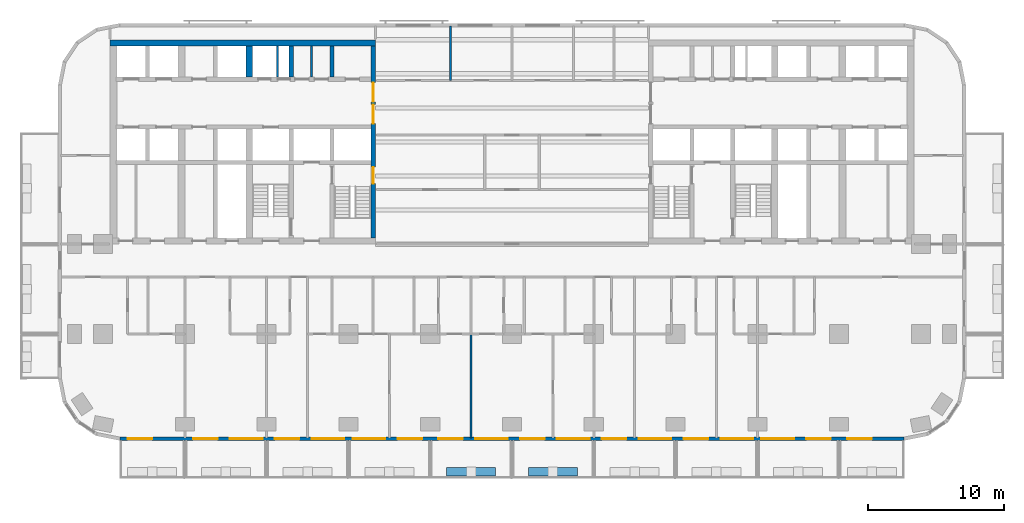
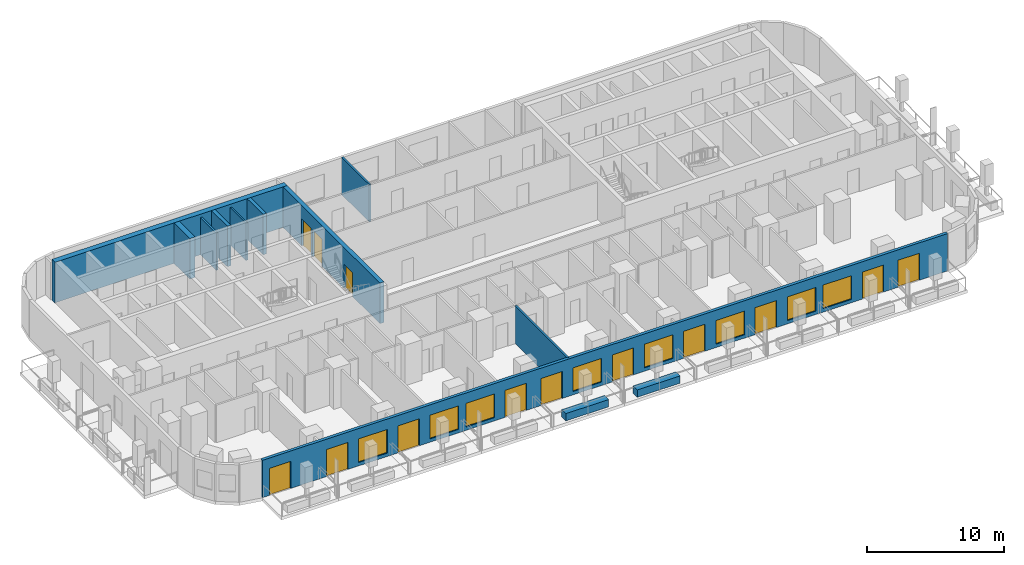
# One storey, part 4 of 13: 13 doors, 12 walls, 8 windows, 21 openings.
"""IFC4 building model written with IfcOpenShell, lengths in metres."""

from ifc_helpers import new_model, si_unit, direction, frame, frame_2d, origin, place, context, subcontext, project, spatial, rectangle, extrude, material, layer, layer_set, type_object, element, fill, save


model = new_model("IFC4")

# Units and contexts
model_context = context("Model", 3, precision=1e-05, world=origin(), true_north=direction((0.0, 1.0)))
body_context = subcontext(model_context, "Body", "Model", "MODEL_VIEW")
ifc_project = project(units=[si_unit("LENGTHUNIT", "METRE"), si_unit("AREAUNIT", "SQUARE_METRE"), si_unit("VOLUMEUNIT", "CUBIC_METRE"), si_unit("PLANEANGLEUNIT", "RADIAN"), si_unit("MASSUNIT", "GRAM", prefix="KILO")], contexts=[model_context])

# Site, building, storey
site_placement = place(None, origin())
site = spatial("IfcSite", under=ifc_project, at=site_placement, CompositionType="ELEMENT")
building_placement = place(site_placement, origin())
building = spatial("IfcBuilding", under=site, at=building_placement, Name="Torana Hotel and Residences", CompositionType="ELEMENT")
storey_placement = place(building_placement, frame((0.0, 0.0, 78.0)))
storey = spatial("IfcBuildingStorey", under=building, at=storey_placement, Name="L19", CompositionType="ELEMENT", Elevation=78.0)

# Walls
ifc_material_1 = material(Name="Concrete C80/95", Category="concrete")
ifc_layer_1 = layer(ifc_material_1, 0.300048828125)
ifc_layer_set_1 = layer_set([ifc_layer_1], Name="CORE WALL 300 C80/95")
wall_type_1 = type_object("IfcWallType", Name="CORE WALL 300 C80/95", PredefinedType="SHEAR", material=ifc_layer_set_1)
for number, where, z_axis, x_axis, name in (
    (1, (-13.199951171875, -2.75, 0.0), (0.0, 0.0, 1.0), (0.0, 1.0, 0.0), "Core wall W x3.05-N"),
    (2, (-16.199951171875, -2.75, 0.0), (0.0, 0.0, 1.0), (0.0, 1.0, 0.0), "Core wall W x6.05-N"),
):
    element("IfcWall", number, at=place(storey_placement, frame(where, z_axis=z_axis, x_axis=x_axis)), inside=storey, type_object=wall_type_1, Name=name, PredefinedType="SHEAR", context=body_context, shape_type="SweptSolid", body=[
        extrude(rectangle(XDim=2.300048828125, YDim=0.300048828125, at=frame_2d((1.14990234375, 0.0))), origin(), (0.0, 0.0, 1.0), 3.60009765625),
    ])

# Wall, openings, doors
ifc_material_2 = material(Name="Concrete C80/95", Category="concrete")
ifc_layer_2 = layer(ifc_material_2, 0.35009765625)
ifc_layer_set_2 = layer_set([ifc_layer_2], Name="CORE WALL 350 C80/95")
wall_type_2 = type_object("IfcWallType", Name="CORE WALL 350 C80/95", PredefinedType="SHEAR", material=ifc_layer_set_2)
wall_1_placement = place(storey_placement, frame((-10.175048828125, -14.550048828125, 0.0), z_axis=(0.0, 0.0, 1.0), x_axis=(0.0, 1.0, 0.0)))
wall_1 = element("IfcWall", 3, at=wall_1_placement, inside=storey, type_object=wall_type_2, Name="Core wall W arch", PredefinedType="SHEAR", context=body_context, shape_type="SweptSolid", body=[
    extrude(rectangle(XDim=14.10009765625, YDim=0.35009765625, at=frame_2d((7.050048828125, 0.0))), origin(), (0.0, 0.0, 1.0), 3.60009765625),
])
opening_1_placement = place(wall_1_placement, frame((8.39990234375, 0.0, 0.0)))
opening_1 = element("IfcOpeningElement", 4, at=opening_1_placement, cuts=wall_1, Name="Opening L19-01", PredefinedType="OPENING", context=body_context, shape_type="SweptSolid", body=[
    extrude(rectangle(XDim=1.39990234375, YDim=2.39990234375, at=frame_2d((0.699951171875, 1.199951171875))), frame((0.0, 0.18505859375, 0.0), z_axis=(0.0, -1.0, 0.0), x_axis=(1.0, 0.0, 0.0)), (0.0, 0.0, 1.0), 0.3701171875),
])
opening_2_placement = place(wall_1_placement, frame((10.0, 0.0, 0.0)))
opening_2 = element("IfcOpeningElement", 5, at=opening_2_placement, cuts=wall_1, Name="Opening L19-02", PredefinedType="OPENING", context=body_context, shape_type="SweptSolid", body=[
    extrude(rectangle(XDim=1.39990234375, YDim=2.39990234375, at=frame_2d((0.699951171875, 1.199951171875))), frame((0.0, 0.18505859375, 0.0), z_axis=(0.0, -1.0, 0.0), x_axis=(1.0, 0.0, 0.0)), (0.0, 0.0, 1.0), 0.3701171875),
])
opening_3_placement = place(wall_1_placement, frame((4.0, 0.0, 0.0)))
opening_3 = element("IfcOpeningElement", 6, at=opening_3_placement, cuts=wall_1, Name="Opening L19-03", PredefinedType="OPENING", context=body_context, shape_type="SweptSolid", body=[
    extrude(rectangle(XDim=1.199951171875, YDim=2.10009765625, at=frame_2d((0.60009765625, 1.050048828125))), frame((0.0, 0.18505859375, 0.0), z_axis=(0.0, -1.0, 0.0), x_axis=(1.0, 0.0, 0.0)), (0.0, 0.0, 1.0), 0.3701171875),
])
ifc_material_3 = material(Name="Steel S235", Category="steel")
door_type_1 = type_object("IfcDoorType", Name="LOBBY FIRE DOOR D4 1400x2400", OperationType="DOUBLE_DOOR_SINGLE_SWING", PredefinedType="DOOR", material=ifc_material_3)
door_1_placement = place(opening_1_placement, origin())
door_1 = element("IfcDoor", 7, at=door_1_placement, inside=storey, type_object=door_type_1, Name="Lobby-1 door L19", OperationType="DOUBLE_DOOR_SINGLE_SWING", OverallHeight=2.39990234375, OverallWidth=1.39990234375, PredefinedType="DOOR", context=body_context, shape_type="SweptSolid", body=[
    extrude(rectangle(XDim=1.39990234375, YDim=2.39990234375, at=frame_2d((0.699951171875, 1.199951171875))), frame((0.0, 0.02490234375, 0.0), z_axis=(0.0, -1.0, 0.0), x_axis=(1.0, 0.0, 0.0)), (0.0, 0.0, 1.0), 0.050048828125),
])
fill(opening_1, door_1)
door_2_placement = place(opening_2_placement, origin())
door_2 = element("IfcDoor", 8, at=door_2_placement, inside=storey, type_object=door_type_1, Name="Lobby-2 door L19", OperationType="DOUBLE_DOOR_SINGLE_SWING", OverallHeight=2.39990234375, OverallWidth=1.39990234375, PredefinedType="DOOR", context=body_context, shape_type="SweptSolid", body=[
    extrude(rectangle(XDim=1.39990234375, YDim=2.39990234375, at=frame_2d((0.699951171875, 1.199951171875))), frame((0.0, 0.02490234375, 0.0), z_axis=(0.0, -1.0, 0.0), x_axis=(1.0, 0.0, 0.0)), (0.0, 0.0, 1.0), 0.050048828125),
])
fill(opening_2, door_2)
ifc_material_4 = material(Name="Steel S235", Category="steel")
door_type_2 = type_object("IfcDoorType", Name="STAIR FIRE DOOR D3 1200x2100", OperationType="SINGLE_SWING_LEFT", PredefinedType="DOOR", material=ifc_material_4)
door_3_placement = place(opening_3_placement, origin())
door_3 = element("IfcDoor", 9, at=door_3_placement, inside=storey, type_object=door_type_2, Name="Stair-A door L19", OperationType="SINGLE_SWING_LEFT", OverallHeight=2.10009765625, OverallWidth=1.199951171875, PredefinedType="DOOR", context=body_context, shape_type="SweptSolid", body=[
    extrude(rectangle(XDim=1.199951171875, YDim=2.10009765625, at=frame_2d((0.60009765625, 1.050048828125))), frame((0.0, 0.02490234375, 0.0), z_axis=(0.0, -1.0, 0.0), x_axis=(1.0, 0.0, 0.0)), (0.0, 0.0, 1.0), 0.050048828125),
])
fill(opening_3, door_3)

# Walls
ifc_material_5 = material(Name="Concrete C80/95", Category="concrete")
ifc_layer_3 = layer(ifc_material_5, 0.449951171875)
ifc_layer_set_3 = layer_set([ifc_layer_3], Name="CORE WALL 450 C80/95")
wall_type_3 = type_object("IfcWallType", Name="CORE WALL 450 C80/95", PredefinedType="SHEAR", material=ifc_layer_set_3)
wall_2_placement = place(storey_placement, frame((-29.5, -0.22509765625, 0.0), z_axis=(0.0, 0.0, 1.0), x_axis=(1.0, 0.0, 0.0)))
element("IfcWall", 10, at=wall_2_placement, inside=storey, type_object=wall_type_3, Name="Core wall W rear", PredefinedType="SHEAR", context=body_context, shape_type="SweptSolid", body=[
    extrude(rectangle(XDim=19.5, YDim=0.449951171875, at=frame_2d((9.75, 0.0))), origin(), (0.0, 0.0, 1.0), 3.60009765625),
])
wall_3_placement = place(storey_placement, frame((-19.27490234375, -2.75, 0.0), z_axis=(0.0, 0.0, 1.0), x_axis=(0.0, 1.0, 0.0)))
element("IfcWall", 11, at=wall_3_placement, inside=storey, type_object=wall_type_3, Name="Core wall W hm-N", PredefinedType="SHEAR", context=body_context, shape_type="SweptSolid", body=[
    extrude(rectangle(XDim=2.300048828125, YDim=0.449951171875, at=frame_2d((1.14990234375, 0.0))), origin(), (0.0, 0.0, 1.0), 3.60009765625),
])

# Wall, openings, doors, windows
ifc_material_6 = material(Name="Black aluminium composite panel", Category="aluminium")
ifc_layer_4 = layer(ifc_material_6, 0.00390625, Name="Cladding", Category="cladding")
ifc_material_7 = material(Name="Ventilated air cavity")
ifc_layer_5 = layer(ifc_material_7, 0.0400390625, Name="Ventilated cavity", Category="cavity")
ifc_material_8 = material(Name="Mineral wool insulation")
ifc_layer_6 = layer(ifc_material_8, 0.090087890625, Name="Insulation", Category="insulation")
ifc_material_9 = material(Name="Steel S280GD", Category="steel")
ifc_layer_7 = layer(ifc_material_9, 0.092041015625, Name="Steel stud frame", Category="structure")
ifc_material_10 = material(Name="Fire rated plasterboard")
ifc_layer_8 = layer(ifc_material_10, 0.011962890625, Name="Inner board", Category="finish")
ifc_layer_9 = layer(ifc_material_10, 0.011962890625, Name="Second board", Category="finish")
ifc_layer_set_4 = layer_set([ifc_layer_4, ifc_layer_5, ifc_layer_6, ifc_layer_7, ifc_layer_8, ifc_layer_9], Name="EW1 EXTERNAL WALL BLACK METAL CLAD 250")
wall_type_4 = type_object("IfcWallType", Name="EW1 EXTERNAL WALL BLACK METAL CLAD 250", PredefinedType="SOLIDWALL", material=ifc_layer_set_4)
wall_4_placement = place(storey_placement, frame((-28.775390625, -29.27490234375, 0.0), z_axis=(0.0, 0.0, 1.0), x_axis=(1.0, 0.0, 0.0)))
wall_4 = element("IfcWall", 12, at=wall_4_placement, inside=storey, type_object=wall_type_4, Name="External wall L19 e0.14", PredefinedType="SOLIDWALL", context=body_context, shape_type="SweptSolid", body=[
    extrude(rectangle(XDim=57.55078125, YDim=0.25, at=frame_2d((28.775390625, 0.0))), origin(), (0.0, 0.0, 1.0), 3.320068359375),
])
opening_4_placement = place(wall_4_placement, frame((0.575439453125, 0.0, 0.0)))
opening_4 = element("IfcOpeningElement", 13, at=opening_4_placement, cuts=wall_4, Name="Opening L19-E01", PredefinedType="OPENING", context=body_context, shape_type="SweptSolid", body=[
    extrude(rectangle(XDim=1.800048828125, YDim=2.39990234375, at=frame_2d((0.89990234375, 1.199951171875))), frame((0.0, 0.135009765625, 0.0), z_axis=(0.0, -1.0, 0.0), x_axis=(1.0, 0.0, 0.0)), (0.0, 0.0, 1.0), 0.27001953125),
])
opening_5_placement = place(wall_4_placement, frame((5.37548828125, 0.0, 0.0)))
opening_5 = element("IfcOpeningElement", 14, at=opening_5_placement, cuts=wall_4, Name="Opening L19-E02", PredefinedType="OPENING", context=body_context, shape_type="SweptSolid", body=[
    extrude(rectangle(XDim=1.800048828125, YDim=2.39990234375, at=frame_2d((0.89990234375, 1.199951171875))), frame((0.0, 0.135009765625, 0.0), z_axis=(0.0, -1.0, 0.0), x_axis=(1.0, 0.0, 0.0)), (0.0, 0.0, 1.0), 0.27001953125),
])
opening_6_placement = place(wall_4_placement, frame((8.075439453125, 0.0, 0.300048828125)))
opening_6 = element("IfcOpeningElement", 15, at=opening_6_placement, cuts=wall_4, Name="Opening W1", PredefinedType="OPENING", context=body_context, shape_type="SweptSolid", body=[
    extrude(rectangle(XDim=2.39990234375, YDim=2.10009765625, at=frame_2d((1.199951171875, 1.050048828125))), frame((0.0, 0.135009765625, 0.0), z_axis=(0.0, -1.0, 0.0), x_axis=(1.0, 0.0, 0.0)), (0.0, 0.0, 1.0), 0.27001953125),
])
opening_7_placement = place(wall_4_placement, frame((11.37548828125, 0.0, 0.0)))
opening_7 = element("IfcOpeningElement", 16, at=opening_7_placement, cuts=wall_4, Name="Opening L19-E03", PredefinedType="OPENING", context=body_context, shape_type="SweptSolid", body=[
    extrude(rectangle(XDim=1.800048828125, YDim=2.39990234375, at=frame_2d((0.89990234375, 1.199951171875))), frame((0.0, 0.135009765625, 0.0), z_axis=(0.0, -1.0, 0.0), x_axis=(1.0, 0.0, 0.0)), (0.0, 0.0, 1.0), 0.27001953125),
])
opening_8_placement = place(wall_4_placement, frame((14.075439453125, 0.0, 0.300048828125)))
opening_8 = element("IfcOpeningElement", 17, at=opening_8_placement, cuts=wall_4, Name="Opening W1", PredefinedType="OPENING", context=body_context, shape_type="SweptSolid", body=[
    extrude(rectangle(XDim=2.39990234375, YDim=2.10009765625, at=frame_2d((1.199951171875, 1.050048828125))), frame((0.0, 0.135009765625, 0.0), z_axis=(0.0, -1.0, 0.0), x_axis=(1.0, 0.0, 0.0)), (0.0, 0.0, 1.0), 0.27001953125),
])
opening_9_placement = place(wall_4_placement, frame((17.075439453125, 0.0, 0.300048828125)))
opening_9 = element("IfcOpeningElement", 18, at=opening_9_placement, cuts=wall_4, Name="Opening W1", PredefinedType="OPENING", context=body_context, shape_type="SweptSolid", body=[
    extrude(rectangle(XDim=2.39990234375, YDim=2.10009765625, at=frame_2d((1.199951171875, 1.050048828125))), frame((0.0, 0.135009765625, 0.0), z_axis=(0.0, -1.0, 0.0), x_axis=(1.0, 0.0, 0.0)), (0.0, 0.0, 1.0), 0.27001953125),
])
opening_10_placement = place(wall_4_placement, frame((20.37548828125, 0.0, 0.0)))
opening_10 = element("IfcOpeningElement", 19, at=opening_10_placement, cuts=wall_4, Name="Opening L19-E04", PredefinedType="OPENING", context=body_context, shape_type="SweptSolid", body=[
    extrude(rectangle(XDim=1.800048828125, YDim=2.39990234375, at=frame_2d((0.89990234375, 1.199951171875))), frame((0.0, 0.135009765625, 0.0), z_axis=(0.0, -1.0, 0.0), x_axis=(1.0, 0.0, 0.0)), (0.0, 0.0, 1.0), 0.27001953125),
])
opening_11_placement = place(wall_4_placement, frame((23.37548828125, 0.0, 0.0)))
opening_11 = element("IfcOpeningElement", 20, at=opening_11_placement, cuts=wall_4, Name="Opening L19-E05", PredefinedType="OPENING", context=body_context, shape_type="SweptSolid", body=[
    extrude(rectangle(XDim=1.800048828125, YDim=2.39990234375, at=frame_2d((0.89990234375, 1.199951171875))), frame((0.0, 0.135009765625, 0.0), z_axis=(0.0, -1.0, 0.0), x_axis=(1.0, 0.0, 0.0)), (0.0, 0.0, 1.0), 0.27001953125),
])
opening_12_placement = place(wall_4_placement, frame((26.075439453125, 0.0, 0.300048828125)))
opening_12 = element("IfcOpeningElement", 21, at=opening_12_placement, cuts=wall_4, Name="Opening W1", PredefinedType="OPENING", context=body_context, shape_type="SweptSolid", body=[
    extrude(rectangle(XDim=2.39990234375, YDim=2.10009765625, at=frame_2d((1.199951171875, 1.050048828125))), frame((0.0, 0.135009765625, 0.0), z_axis=(0.0, -1.0, 0.0), x_axis=(1.0, 0.0, 0.0)), (0.0, 0.0, 1.0), 0.27001953125),
])
opening_13_placement = place(wall_4_placement, frame((29.37548828125, 0.0, 0.0)))
opening_13 = element("IfcOpeningElement", 22, at=opening_13_placement, cuts=wall_4, Name="Opening L19-E06", PredefinedType="OPENING", context=body_context, shape_type="SweptSolid", body=[
    extrude(rectangle(XDim=1.800048828125, YDim=2.39990234375, at=frame_2d((0.89990234375, 1.199951171875))), frame((0.0, 0.135009765625, 0.0), z_axis=(0.0, -1.0, 0.0), x_axis=(1.0, 0.0, 0.0)), (0.0, 0.0, 1.0), 0.27001953125),
])
opening_14_placement = place(wall_4_placement, frame((32.075439453125, 0.0, 0.300048828125)))
opening_14 = element("IfcOpeningElement", 23, at=opening_14_placement, cuts=wall_4, Name="Opening W1", PredefinedType="OPENING", context=body_context, shape_type="SweptSolid", body=[
    extrude(rectangle(XDim=2.39990234375, YDim=2.10009765625, at=frame_2d((1.199951171875, 1.050048828125))), frame((0.0, 0.135009765625, 0.0), z_axis=(0.0, -1.0, 0.0), x_axis=(1.0, 0.0, 0.0)), (0.0, 0.0, 1.0), 0.27001953125),
])
opening_15_placement = place(wall_4_placement, frame((35.37548828125, 0.0, 0.0)))
opening_15 = element("IfcOpeningElement", 24, at=opening_15_placement, cuts=wall_4, Name="Opening L19-E07", PredefinedType="OPENING", context=body_context, shape_type="SweptSolid", body=[
    extrude(rectangle(XDim=1.800048828125, YDim=2.39990234375, at=frame_2d((0.89990234375, 1.199951171875))), frame((0.0, 0.135009765625, 0.0), z_axis=(0.0, -1.0, 0.0), x_axis=(1.0, 0.0, 0.0)), (0.0, 0.0, 1.0), 0.27001953125),
])
opening_16_placement = place(wall_4_placement, frame((38.075439453125, 0.0, 0.300048828125)))
opening_16 = element("IfcOpeningElement", 25, at=opening_16_placement, cuts=wall_4, Name="Opening W1", PredefinedType="OPENING", context=body_context, shape_type="SweptSolid", body=[
    extrude(rectangle(XDim=2.39990234375, YDim=2.10009765625, at=frame_2d((1.199951171875, 1.050048828125))), frame((0.0, 0.135009765625, 0.0), z_axis=(0.0, -1.0, 0.0), x_axis=(1.0, 0.0, 0.0)), (0.0, 0.0, 1.0), 0.27001953125),
])
opening_17_placement = place(wall_4_placement, frame((41.37548828125, 0.0, 0.0)))
opening_17 = element("IfcOpeningElement", 26, at=opening_17_placement, cuts=wall_4, Name="Opening L19-E08", PredefinedType="OPENING", context=body_context, shape_type="SweptSolid", body=[
    extrude(rectangle(XDim=1.800048828125, YDim=2.39990234375, at=frame_2d((0.89990234375, 1.199951171875))), frame((0.0, 0.135009765625, 0.0), z_axis=(0.0, -1.0, 0.0), x_axis=(1.0, 0.0, 0.0)), (0.0, 0.0, 1.0), 0.27001953125),
])
opening_18_placement = place(wall_4_placement, frame((44.075439453125, 0.0, 0.300048828125)))
opening_18 = element("IfcOpeningElement", 27, at=opening_18_placement, cuts=wall_4, Name="Opening W1", PredefinedType="OPENING", context=body_context, shape_type="SweptSolid", body=[
    extrude(rectangle(XDim=2.39990234375, YDim=2.10009765625, at=frame_2d((1.199951171875, 1.050048828125))), frame((0.0, 0.135009765625, 0.0), z_axis=(0.0, -1.0, 0.0), x_axis=(1.0, 0.0, 0.0)), (0.0, 0.0, 1.0), 0.27001953125),
])
opening_19_placement = place(wall_4_placement, frame((47.075439453125, 0.0, 0.300048828125)))
opening_19 = element("IfcOpeningElement", 28, at=opening_19_placement, cuts=wall_4, Name="Opening W1", PredefinedType="OPENING", context=body_context, shape_type="SweptSolid", body=[
    extrude(rectangle(XDim=2.39990234375, YDim=2.10009765625, at=frame_2d((1.199951171875, 1.050048828125))), frame((0.0, 0.135009765625, 0.0), z_axis=(0.0, -1.0, 0.0), x_axis=(1.0, 0.0, 0.0)), (0.0, 0.0, 1.0), 0.27001953125),
])
opening_20_placement = place(wall_4_placement, frame((50.37548828125, 0.0, 0.0)))
opening_20 = element("IfcOpeningElement", 29, at=opening_20_placement, cuts=wall_4, Name="Opening L19-E09", PredefinedType="OPENING", context=body_context, shape_type="SweptSolid", body=[
    extrude(rectangle(XDim=1.800048828125, YDim=2.39990234375, at=frame_2d((0.89990234375, 1.199951171875))), frame((0.0, 0.135009765625, 0.0), z_axis=(0.0, -1.0, 0.0), x_axis=(1.0, 0.0, 0.0)), (0.0, 0.0, 1.0), 0.27001953125),
])
opening_21_placement = place(wall_4_placement, frame((53.37548828125, 0.0, 0.0)))
opening_21 = element("IfcOpeningElement", 30, at=opening_21_placement, cuts=wall_4, Name="Opening L19-E10", PredefinedType="OPENING", context=body_context, shape_type="SweptSolid", body=[
    extrude(rectangle(XDim=1.800048828125, YDim=2.39990234375, at=frame_2d((0.89990234375, 1.199951171875))), frame((0.0, 0.135009765625, 0.0), z_axis=(0.0, -1.0, 0.0), x_axis=(1.0, 0.0, 0.0)), (0.0, 0.0, 1.0), 0.27001953125),
])
ifc_material_11 = material(Name="Dark glass in black aluminium frame", Category="aluminium")
door_type_3 = type_object("IfcDoorType", Name="DB1 BALCONY DOOR 1800x2400", OperationType="DOUBLE_DOOR_SINGLE_SWING", PredefinedType="DOOR", material=ifc_material_11)
door_4_placement = place(opening_4_placement, origin())
door_4 = element("IfcDoor", 31, at=door_4_placement, inside=storey, type_object=door_type_3, Name="Balcony door L19", OperationType="DOUBLE_DOOR_SINGLE_SWING", OverallHeight=2.39990234375, OverallWidth=1.800048828125, PredefinedType="DOOR", context=body_context, shape_type="SweptSolid", body=[
    extrude(rectangle(XDim=1.800048828125, YDim=2.39990234375, at=frame_2d((0.89990234375, 1.199951171875))), frame((0.0, 0.02490234375, 0.0), z_axis=(0.0, -1.0, 0.0), x_axis=(1.0, 0.0, 0.0)), (0.0, 0.0, 1.0), 0.050048828125),
])
fill(opening_4, door_4)
door_5_placement = place(opening_5_placement, frame((0.89990234375, 0.0, 0.0), z_axis=(0.0, 0.0, 1.0), x_axis=(-1.0, 0.0, 0.0)))
door_5 = element("IfcDoor", 32, at=door_5_placement, inside=storey, type_object=door_type_3, Name="Balcony door L19", OperationType="DOUBLE_DOOR_SINGLE_SWING", OverallHeight=2.39990234375, OverallWidth=1.800048828125, PredefinedType="DOOR", context=body_context, shape_type="SweptSolid", body=[
    extrude(rectangle(XDim=1.800048828125, YDim=2.39990234375, at=frame_2d((0.0, 1.199951171875))), frame((0.0, -0.02490234375, 0.0), z_axis=(0.0, 1.0, 0.0), x_axis=(-1.0, 0.0, 0.0)), (0.0, 0.0, 1.0), 0.050048828125),
])
fill(opening_5, door_5)
door_6_placement = place(opening_7_placement, frame((0.89990234375, 0.0, 0.0), z_axis=(0.0, 0.0, 1.0), x_axis=(-1.0, 0.0, 0.0)))
door_6 = element("IfcDoor", 33, at=door_6_placement, inside=storey, type_object=door_type_3, Name="Balcony door L19", OperationType="DOUBLE_DOOR_SINGLE_SWING", OverallHeight=2.39990234375, OverallWidth=1.800048828125, PredefinedType="DOOR", context=body_context, shape_type="SweptSolid", body=[
    extrude(rectangle(XDim=1.800048828125, YDim=2.39990234375, at=frame_2d((0.0, 1.199951171875))), frame((0.0, -0.02490234375, 0.0), z_axis=(0.0, 1.0, 0.0), x_axis=(-1.0, 0.0, 0.0)), (0.0, 0.0, 1.0), 0.050048828125),
])
fill(opening_7, door_6)
door_7_placement = place(opening_10_placement, frame((0.89990234375, 0.0, 0.0), z_axis=(0.0, 0.0, 1.0), x_axis=(-1.0, 0.0, 0.0)))
door_7 = element("IfcDoor", 34, at=door_7_placement, inside=storey, type_object=door_type_3, Name="Balcony door L19", OperationType="DOUBLE_DOOR_SINGLE_SWING", OverallHeight=2.39990234375, OverallWidth=1.800048828125, PredefinedType="DOOR", context=body_context, shape_type="SweptSolid", body=[
    extrude(rectangle(XDim=1.800048828125, YDim=2.39990234375, at=frame_2d((0.0, 1.199951171875))), frame((0.0, -0.02490234375, 0.0), z_axis=(0.0, 1.0, 0.0), x_axis=(-1.0, 0.0, 0.0)), (0.0, 0.0, 1.0), 0.050048828125),
])
fill(opening_10, door_7)
door_8_placement = place(opening_11_placement, frame((0.89990234375, 0.0, 0.0), z_axis=(0.0, 0.0, 1.0), x_axis=(-1.0, 0.0, 0.0)))
door_8 = element("IfcDoor", 35, at=door_8_placement, inside=storey, type_object=door_type_3, Name="Balcony door L19", OperationType="DOUBLE_DOOR_SINGLE_SWING", OverallHeight=2.39990234375, OverallWidth=1.800048828125, PredefinedType="DOOR", context=body_context, shape_type="SweptSolid", body=[
    extrude(rectangle(XDim=1.800048828125, YDim=2.39990234375, at=frame_2d((0.0, 1.199951171875))), frame((0.0, -0.02490234375, 0.0), z_axis=(0.0, 1.0, 0.0), x_axis=(-1.0, 0.0, 0.0)), (0.0, 0.0, 1.0), 0.050048828125),
])
fill(opening_11, door_8)
door_9_placement = place(opening_13_placement, frame((0.89990234375, 0.0, 0.0), z_axis=(0.0, 0.0, 1.0), x_axis=(-1.0, 0.0, 0.0)))
door_9 = element("IfcDoor", 36, at=door_9_placement, inside=storey, type_object=door_type_3, Name="Balcony door L19", OperationType="DOUBLE_DOOR_SINGLE_SWING", OverallHeight=2.39990234375, OverallWidth=1.800048828125, PredefinedType="DOOR", context=body_context, shape_type="SweptSolid", body=[
    extrude(rectangle(XDim=1.800048828125, YDim=2.39990234375, at=frame_2d((0.0, 1.199951171875))), frame((0.0, -0.02490234375, 0.0), z_axis=(0.0, 1.0, 0.0), x_axis=(-1.0, 0.0, 0.0)), (0.0, 0.0, 1.0), 0.050048828125),
])
fill(opening_13, door_9)
door_10_placement = place(opening_15_placement, frame((0.89990234375, 0.0, 0.0), z_axis=(0.0, 0.0, 1.0), x_axis=(-1.0, 0.0, 0.0)))
door_10 = element("IfcDoor", 37, at=door_10_placement, inside=storey, type_object=door_type_3, Name="Balcony door L19", OperationType="DOUBLE_DOOR_SINGLE_SWING", OverallHeight=2.39990234375, OverallWidth=1.800048828125, PredefinedType="DOOR", context=body_context, shape_type="SweptSolid", body=[
    extrude(rectangle(XDim=1.800048828125, YDim=2.39990234375, at=frame_2d((0.0, 1.199951171875))), frame((0.0, -0.02490234375, 0.0), z_axis=(0.0, 1.0, 0.0), x_axis=(-1.0, 0.0, 0.0)), (0.0, 0.0, 1.0), 0.050048828125),
])
fill(opening_15, door_10)
door_11_placement = place(opening_17_placement, frame((0.89990234375, 0.0, 0.0), z_axis=(0.0, 0.0, 1.0), x_axis=(-1.0, 0.0, 0.0)))
door_11 = element("IfcDoor", 38, at=door_11_placement, inside=storey, type_object=door_type_3, Name="Balcony door L19", OperationType="DOUBLE_DOOR_SINGLE_SWING", OverallHeight=2.39990234375, OverallWidth=1.800048828125, PredefinedType="DOOR", context=body_context, shape_type="SweptSolid", body=[
    extrude(rectangle(XDim=1.800048828125, YDim=2.39990234375, at=frame_2d((0.0, 1.199951171875))), frame((0.0, -0.02490234375, 0.0), z_axis=(0.0, 1.0, 0.0), x_axis=(-1.0, 0.0, 0.0)), (0.0, 0.0, 1.0), 0.050048828125),
])
fill(opening_17, door_11)
door_12_placement = place(opening_20_placement, frame((0.89990234375, 0.0, 0.0), z_axis=(0.0, 0.0, 1.0), x_axis=(-1.0, 0.0, 0.0)))
door_12 = element("IfcDoor", 39, at=door_12_placement, inside=storey, type_object=door_type_3, Name="Balcony door L19", OperationType="DOUBLE_DOOR_SINGLE_SWING", OverallHeight=2.39990234375, OverallWidth=1.800048828125, PredefinedType="DOOR", context=body_context, shape_type="SweptSolid", body=[
    extrude(rectangle(XDim=1.800048828125, YDim=2.39990234375, at=frame_2d((0.0, 1.199951171875))), frame((0.0, -0.02490234375, 0.0), z_axis=(0.0, 1.0, 0.0), x_axis=(-1.0, 0.0, 0.0)), (0.0, 0.0, 1.0), 0.050048828125),
])
fill(opening_20, door_12)
door_13_placement = place(opening_21_placement, frame((0.89990234375, 0.0, 0.0), z_axis=(0.0, 0.0, 1.0), x_axis=(-1.0, 0.0, 0.0)))
door_13 = element("IfcDoor", 40, at=door_13_placement, inside=storey, type_object=door_type_3, Name="Balcony door L19", OperationType="DOUBLE_DOOR_SINGLE_SWING", OverallHeight=2.39990234375, OverallWidth=1.800048828125, PredefinedType="DOOR", context=body_context, shape_type="SweptSolid", body=[
    extrude(rectangle(XDim=1.800048828125, YDim=2.39990234375, at=frame_2d((0.0, 1.199951171875))), frame((0.0, -0.02490234375, 0.0), z_axis=(0.0, 1.0, 0.0), x_axis=(-1.0, 0.0, 0.0)), (0.0, 0.0, 1.0), 0.050048828125),
])
fill(opening_21, door_13)
ifc_material_12 = material(Name="Dark glass in black aluminium frame", Category="aluminium")
window_type = type_object("IfcWindowType", Name="W1 HOTEL ROOM WINDOW 2400x2100", PartitioningType="SINGLE_PANEL", PredefinedType="WINDOW", material=ifc_material_12)
window_1_placement = place(opening_6_placement, origin())
window_1 = element("IfcWindow", 41, at=window_1_placement, inside=storey, type_object=window_type, Name="Window L19", OverallHeight=2.10009765625, OverallWidth=2.39990234375, PartitioningType="SINGLE_PANEL", PredefinedType="WINDOW", context=body_context, shape_type="SweptSolid", body=[
    extrude(rectangle(XDim=2.39990234375, YDim=2.10009765625, at=frame_2d((1.199951171875, 1.050048828125))), frame((0.0, 0.030029296875, 0.0), z_axis=(0.0, -1.0, 0.0), x_axis=(1.0, 0.0, 0.0)), (0.0, 0.0, 1.0), 0.06005859375),
])
fill(opening_6, window_1)
window_2_placement = place(opening_8_placement, origin())
window_2 = element("IfcWindow", 42, at=window_2_placement, inside=storey, type_object=window_type, Name="Window L19", OverallHeight=2.10009765625, OverallWidth=2.39990234375, PartitioningType="SINGLE_PANEL", PredefinedType="WINDOW", context=body_context, shape_type="SweptSolid", body=[
    extrude(rectangle(XDim=2.39990234375, YDim=2.10009765625, at=frame_2d((1.199951171875, 1.050048828125))), frame((0.0, 0.030029296875, 0.0), z_axis=(0.0, -1.0, 0.0), x_axis=(1.0, 0.0, 0.0)), (0.0, 0.0, 1.0), 0.06005859375),
])
fill(opening_8, window_2)
window_3_placement = place(opening_9_placement, origin())
window_3 = element("IfcWindow", 43, at=window_3_placement, inside=storey, type_object=window_type, Name="Window L19", OverallHeight=2.10009765625, OverallWidth=2.39990234375, PartitioningType="SINGLE_PANEL", PredefinedType="WINDOW", context=body_context, shape_type="SweptSolid", body=[
    extrude(rectangle(XDim=2.39990234375, YDim=2.10009765625, at=frame_2d((1.199951171875, 1.050048828125))), frame((0.0, 0.030029296875, 0.0), z_axis=(0.0, -1.0, 0.0), x_axis=(1.0, 0.0, 0.0)), (0.0, 0.0, 1.0), 0.06005859375),
])
fill(opening_9, window_3)
window_4_placement = place(opening_12_placement, origin())
window_4 = element("IfcWindow", 44, at=window_4_placement, inside=storey, type_object=window_type, Name="Window L19", OverallHeight=2.10009765625, OverallWidth=2.39990234375, PartitioningType="SINGLE_PANEL", PredefinedType="WINDOW", context=body_context, shape_type="SweptSolid", body=[
    extrude(rectangle(XDim=2.39990234375, YDim=2.10009765625, at=frame_2d((1.199951171875, 1.050048828125))), frame((0.0, 0.030029296875, 0.0), z_axis=(0.0, -1.0, 0.0), x_axis=(1.0, 0.0, 0.0)), (0.0, 0.0, 1.0), 0.06005859375),
])
fill(opening_12, window_4)
window_5_placement = place(opening_14_placement, origin())
window_5 = element("IfcWindow", 45, at=window_5_placement, inside=storey, type_object=window_type, Name="Window L19", OverallHeight=2.10009765625, OverallWidth=2.39990234375, PartitioningType="SINGLE_PANEL", PredefinedType="WINDOW", context=body_context, shape_type="SweptSolid", body=[
    extrude(rectangle(XDim=2.39990234375, YDim=2.10009765625, at=frame_2d((1.199951171875, 1.050048828125))), frame((0.0, 0.030029296875, 0.0), z_axis=(0.0, -1.0, 0.0), x_axis=(1.0, 0.0, 0.0)), (0.0, 0.0, 1.0), 0.06005859375),
])
fill(opening_14, window_5)
window_6_placement = place(opening_16_placement, origin())
window_6 = element("IfcWindow", 46, at=window_6_placement, inside=storey, type_object=window_type, Name="Window L19", OverallHeight=2.10009765625, OverallWidth=2.39990234375, PartitioningType="SINGLE_PANEL", PredefinedType="WINDOW", context=body_context, shape_type="SweptSolid", body=[
    extrude(rectangle(XDim=2.39990234375, YDim=2.10009765625, at=frame_2d((1.199951171875, 1.050048828125))), frame((0.0, 0.030029296875, 0.0), z_axis=(0.0, -1.0, 0.0), x_axis=(1.0, 0.0, 0.0)), (0.0, 0.0, 1.0), 0.06005859375),
])
fill(opening_16, window_6)
window_7_placement = place(opening_18_placement, origin())
window_7 = element("IfcWindow", 47, at=window_7_placement, inside=storey, type_object=window_type, Name="Window L19", OverallHeight=2.10009765625, OverallWidth=2.39990234375, PartitioningType="SINGLE_PANEL", PredefinedType="WINDOW", context=body_context, shape_type="SweptSolid", body=[
    extrude(rectangle(XDim=2.39990234375, YDim=2.10009765625, at=frame_2d((1.199951171875, 1.050048828125))), frame((0.0, 0.030029296875, 0.0), z_axis=(0.0, -1.0, 0.0), x_axis=(1.0, 0.0, 0.0)), (0.0, 0.0, 1.0), 0.06005859375),
])
fill(opening_18, window_7)
window_8_placement = place(opening_19_placement, origin())
window_8 = element("IfcWindow", 48, at=window_8_placement, inside=storey, type_object=window_type, Name="Window L19", OverallHeight=2.10009765625, OverallWidth=2.39990234375, PartitioningType="SINGLE_PANEL", PredefinedType="WINDOW", context=body_context, shape_type="SweptSolid", body=[
    extrude(rectangle(XDim=2.39990234375, YDim=2.10009765625, at=frame_2d((1.199951171875, 1.050048828125))), frame((0.0, 0.030029296875, 0.0), z_axis=(0.0, -1.0, 0.0), x_axis=(1.0, 0.0, 0.0)), (0.0, 0.0, 1.0), 0.06005859375),
])
fill(opening_19, window_8)

# Walls
ifc_material_13 = material(Name="Gypsum plaster")
ifc_layer_10 = layer(ifc_material_13, 0.014892578125, Name="Plaster", Category="finish")
ifc_material_14 = material(Name="Concrete blockwork", Category="masonry")
ifc_layer_11 = layer(ifc_material_14, 0.1201171875, Name="Blockwork", Category="structure")
ifc_layer_12 = layer(ifc_material_13, 0.014892578125, Name="Plaster", Category="finish")
ifc_layer_set_5 = layer_set([ifc_layer_10, ifc_layer_11, ifc_layer_12], Name="FIRE PARTITION 150 BLOCKWORK")
wall_type_5 = type_object("IfcWallType", Name="FIRE PARTITION 150 BLOCKWORK", PredefinedType="PARTITIONING", material=ifc_layer_set_5)
for number, where, z_axis, x_axis, name in (
    (49, (-17.199951171875, -2.75, 0.0), (0.0, 0.0, 1.0), (0.0, 1.0, 0.0), "Core partition L19"),
    (50, (-14.699951171875, -2.75, 0.0), (0.0, 0.0, 1.0), (0.0, 1.0, 0.0), "Core partition L19"),
):
    element("IfcWall", number, at=place(storey_placement, frame(where, z_axis=z_axis, x_axis=x_axis)), inside=storey, type_object=wall_type_5, Name=name, PredefinedType="PARTITIONING", context=body_context, shape_type="SweptSolid", body=[
        extrude(rectangle(XDim=2.300048828125, YDim=0.14990234375, at=frame_2d((1.14990234375, 0.0))), origin(), (0.0, 0.0, 1.0), 3.300048828125),
    ])
ifc_material_15 = material(Name="Gypsum plasterboard")
ifc_layer_13 = layer(ifc_material_15, 0.012451171875, Name="Plasterboard", Category="finish")
ifc_layer_14 = layer(ifc_material_15, 0.012451171875, Name="Plasterboard", Category="finish")
ifc_layer_15 = layer(ifc_material_9, 0.10009765625, Name="Steel studs with mineral wool", Category="insulation")
ifc_layer_16 = layer(ifc_material_15, 0.012451171875, Name="Plasterboard", Category="finish")
ifc_layer_17 = layer(ifc_material_15, 0.012451171875, Name="Plasterboard", Category="finish")
ifc_layer_set_6 = layer_set([ifc_layer_13, ifc_layer_14, ifc_layer_15, ifc_layer_16, ifc_layer_17], Name="PARTITION 150 PLASTERBOARD")
wall_type_6 = type_object("IfcWallType", Name="PARTITION 150 PLASTERBOARD", PredefinedType="PARTITIONING", material=ifc_layer_set_6)
wall_5_placement = place(storey_placement, frame((-3.0, -29.219970703125, 0.0), z_axis=(0.0, 0.0, 1.0), x_axis=(0.0, 1.0, 0.0)))
element("IfcWall", 51, at=wall_5_placement, inside=storey, type_object=wall_type_6, Name="Partition L19", PredefinedType="PARTITIONING", context=body_context, shape_type="SweptSolid", body=[
    extrude(rectangle(XDim=7.619873046875, YDim=0.14990234375, at=frame_2d((3.81005859375, 0.0))), origin(), (0.0, 0.0, 1.0), 3.320068359375),
])
wall_6_placement = place(storey_placement, frame((-4.5, -3.0, 0.0), z_axis=(0.0, 0.0, 1.0), x_axis=(0.0, 1.0, 0.0)))
element("IfcWall", 52, at=wall_6_placement, inside=storey, type_object=wall_type_6, Name="Partition L19", PredefinedType="PARTITIONING", context=body_context, shape_type="SweptSolid", body=[
    extrude(rectangle(XDim=4.02001953125, YDim=0.14990234375, at=frame_2d((2.010009765625, 0.0))), origin(), (0.0, 0.0, 1.0), 3.320068359375),
])
ifc_material_16 = material(Name="Concrete C40/50 precast", Category="concrete")
ifc_layer_18 = layer(ifc_material_16, 0.10009765625, Name="Planter shell", Category="structure")
ifc_material_17 = material(Name="Root resistant membrane")
ifc_layer_19 = layer(ifc_material_17, 0.00390625, Name="Waterproofing membrane", Category="membrane")
ifc_material_18 = material(Name="Drainage board with filter fleece")
ifc_layer_20 = layer(ifc_material_18, 0.02001953125, Name="Drainage board", Category="drainage")
ifc_material_19 = material(Name="Growing medium")
ifc_layer_21 = layer(ifc_material_19, 0.47607421875, Name="Planting substrate", Category="soil")
ifc_layer_set_7 = layer_set([ifc_layer_18, ifc_layer_19, ifc_layer_20, ifc_layer_21], Name="PL1 BALCONY PLANTER 600")
wall_type_7 = type_object("IfcWallType", Name="PL1 BALCONY PLANTER 600", PredefinedType="USERDEFINED", material=ifc_layer_set_7)
for number, where, z_axis, x_axis, name in (
    (53, (-1.199951171875, -31.699951171875, 0.0), (0.0, 0.0, 1.0), (-1.0, 0.0, 0.0), "Planter 05"),
    (54, (4.800048828125, -31.699951171875, 0.0), (0.0, 0.0, 1.0), (-1.0, 0.0, 0.0), "Planter 06"),
):
    element("IfcWall", number, at=place(storey_placement, frame(where, z_axis=z_axis, x_axis=x_axis)), inside=storey, type_object=wall_type_7, Name=name, ObjectType="PLANTER", PredefinedType="USERDEFINED", context=body_context, shape_type="SweptSolid", body=[
        extrude(rectangle(XDim=3.60009765625, YDim=0.60009765625, at=frame_2d((1.800048828125, 0.0))), origin(), (0.0, 0.0, 1.0), 0.64990234375),
    ])

save(model, "model.ifc")
